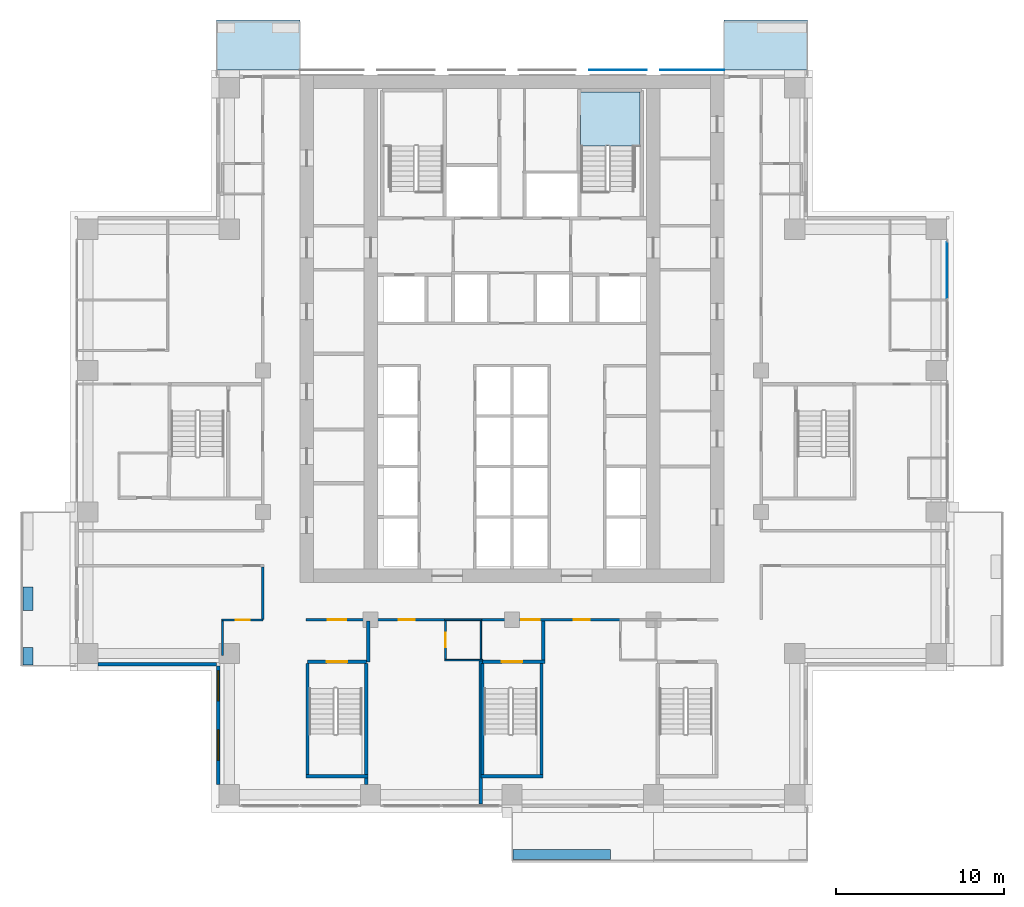
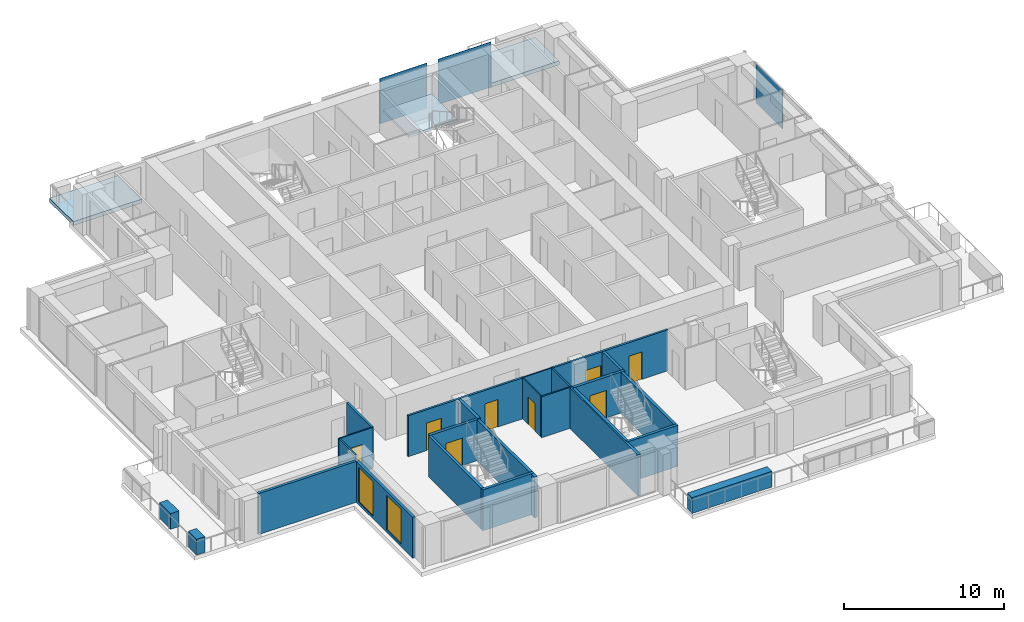
# One storey, part 8 of 18: 25 walls, 8 doors, 3 plates, 3 slabs, 2 windows, 10 openings, 2 elements without a shape of their own.
"""IFC4 building model written with IfcOpenShell, lengths in metres."""

from ifc_helpers import new_model, si_unit, direction, frame, frame_2d, origin, origin_2d, place, context, subcontext, project, spatial, polyline, rectangle, outline, extrude, material, layer, layer_set, type_object, element, fill, aggregate, save


model = new_model("IFC4")

# Units and contexts
model_context = context("Model", 3, precision=1e-05, world=origin(), true_north=direction((0.0, 1.0)))
body_context = subcontext(model_context, "Body", "Model", "MODEL_VIEW")
ifc_project = project(units=[si_unit("LENGTHUNIT", "METRE"), si_unit("AREAUNIT", "SQUARE_METRE"), si_unit("VOLUMEUNIT", "CUBIC_METRE"), si_unit("PLANEANGLEUNIT", "RADIAN"), si_unit("MASSUNIT", "GRAM", prefix="KILO")], contexts=[model_context])

# Site, building, storey
site_placement = place(None, origin())
site = spatial("IfcSite", under=ifc_project, at=site_placement, CompositionType="ELEMENT")
building_placement = place(site_placement, origin())
building = spatial("IfcBuilding", under=site, at=building_placement, Name="Vermilion Ogive Tower", CompositionType="ELEMENT")
storey_placement = place(building_placement, frame((0.0, 0.0, 94.199951171875)))
storey = spatial("IfcBuildingStorey", under=building, at=storey_placement, Name="L23", CompositionType="ELEMENT", Elevation=94.199951171875)

# Slabs
ifc_material_1 = material(Name="Concrete B40", Category="concrete")
ifc_layer_1 = layer(ifc_material_1, 0.300048828125)
ifc_layer_set_1 = layer_set([ifc_layer_1], Name="Balcony slab")
slab_type_1 = type_object("IfcSlabType", Name="Balcony slab", PredefinedType="FLOOR", material=ifc_layer_set_1)
slab_1_placement = place(storey_placement, frame((0.0, 0.0, -0.33984375)))
element("IfcSlab", 1, at=slab_1_placement, inside=storey, type_object=slab_type_1, Name="Balcony slab N101", PredefinedType="FLOOR", context=body_context, shape_type="SweptSolid", body=[
    extrude(outline(polyline([(17.550048828125, 25.030029296875), (12.60009765625, 25.030029296875), (12.60009765625, 22.050048828125), (17.550048828125, 22.050048828125), (17.550048828125, 25.030029296875)])), origin(), (0.0, 0.0, 1.0), 0.2998046875),
])
slab_2_placement = place(storey_placement, frame((0.0, 0.0, -0.33984375)))
element("IfcSlab", 2, at=slab_2_placement, inside=storey, type_object=slab_type_1, Name="Balcony slab N201", PredefinedType="FLOOR", context=body_context, shape_type="SweptSolid", body=[
    extrude(outline(polyline([(-12.60009765625, 25.030029296875), (-17.550048828125, 25.030029296875), (-17.550048828125, 22.050048828125), (-12.60009765625, 22.050048828125), (-12.60009765625, 25.030029296875)])), origin(), (0.0, 0.0, 1.0), 0.2998046875),
])

# Curtain wall, plate
ifc_material_2 = material(Name="Low-iron laminated glazing in aluminium frame", Category="aluminium")
curtain_wall_type = type_object("IfcCurtainWallType", Name="Curtain wall CW7", PredefinedType="NOTDEFINED", material=ifc_material_2)
curtain_wall_placement = place(storey_placement, origin())
curtain_wall = element("IfcCurtainWall", 3, at=curtain_wall_placement, inside=storey, type_object=curtain_wall_type, Name="Glazed skin E3", PredefinedType="NOTDEFINED")
ifc_material_3 = material(Name="Low-iron laminated glazing in aluminium frame", Category="aluminium")
ifc_layer_2 = layer(ifc_material_3, 0.031982421875)
ifc_layer_set_2 = layer_set([ifc_layer_2], Name="CW7 glazing panel 32")
plate_type_1 = type_object("IfcPlateType", Name="CW7 glazing panel 32", PredefinedType="CURTAIN_PANEL", material=ifc_layer_set_2)
plate_1_placement = place(storey_placement, frame((25.85009765625, 10.155029296875, 0.06005859375), z_axis=(0.0, 0.0, 1.0), x_axis=(0.0, 1.0, 0.0)))
plate_1 = element("IfcPlate", 4, at=plate_1_placement, type_object=plate_type_1, Name="CW7-E3 panel 2.1", PredefinedType="CURTAIN_PANEL", context=body_context, shape_type="SweptSolid", body=[
    extrude(rectangle(XDim=3.330078125, YDim=0.031982421875, at=origin_2d()), origin(), (0.0, 0.0, 1.0), 3.010009765625),
])
aggregate(curtain_wall, [plate_1])

# Plates
ifc_material_4 = material(Name="Low-iron laminated glazing in aluminium frame", Category="aluminium")
ifc_layer_3 = layer(ifc_material_4, 0.031982421875)
ifc_layer_set_3 = layer_set([ifc_layer_3], Name="Glazed rainscreen sheet 32")
plate_type_2 = type_object("IfcPlateType", Name="Glazed rainscreen sheet 32", PredefinedType="SHEET", material=ifc_layer_set_3)
plate_2_placement = place(storey_placement, frame((6.300048828125, 22.06591796875, -0.31982421875), z_axis=(0.0, 0.0, 1.0), x_axis=(1.0, 0.0, 0.0)))
element("IfcPlate", 5, at=plate_2_placement, inside=storey, type_object=plate_type_2, Name="Glazed rainscreen sheet N5", PredefinedType="SHEET", context=body_context, shape_type="SweptSolid", body=[
    extrude(rectangle(XDim=3.39990234375, YDim=0.031982421875, at=origin_2d()), origin(), (0.0, 0.0, 1.0), 3.449951171875),
])
plate_3_placement = place(storey_placement, frame((10.7099609375, 22.06591796875, -0.31982421875), z_axis=(0.0, 0.0, 1.0), x_axis=(1.0, 0.0, 0.0)))
element("IfcPlate", 6, at=plate_3_placement, inside=storey, type_object=plate_type_2, Name="Glazed rainscreen sheet N6", PredefinedType="SHEET", context=body_context, shape_type="SweptSolid", body=[
    extrude(rectangle(XDim=3.820068359375, YDim=0.031982421875, at=origin_2d()), origin(), (0.0, 0.0, 1.0), 3.449951171875),
])

# Stair, slab
ifc_material_5 = material(Name="Concrete B40", Category="concrete")
stair_type = type_object("IfcStairType", Name="Exit stair 1500", PredefinedType="HALF_TURN_STAIR", material=ifc_material_5)
stair_placement = place(storey_placement, origin())
stair = element("IfcStair", 7, at=stair_placement, inside=storey, type_object=stair_type, Name="L23 Exit Stair ST2", PredefinedType="HALF_TURN_STAIR")
ifc_material_6 = material(Name="Concrete B40", Category="concrete")
ifc_layer_4 = layer(ifc_material_6, 0.199951171875)
ifc_layer_set_4 = layer_set([ifc_layer_4], Name="Stair landing 200")
slab_type_2 = type_object("IfcSlabType", Name="Stair landing 200", PredefinedType="LANDING", material=ifc_layer_set_4)
slab_3_placement = place(storey_placement, frame((0.0, 0.0, 1.525146484375)))
slab_3 = element("IfcSlab", 8, at=slab_3_placement, type_object=slab_type_2, Name="ST2 landing 1", PredefinedType="LANDING", context=body_context, shape_type="SweptSolid", body=[
    extrude(outline(polyline([(5.60009765625, 17.550048828125), (5.75, 17.550048828125), (5.75, 17.548095703125), (7.25, 17.548095703125), (7.25, 17.550048828125), (7.60009765625, 17.550048828125), (7.60009765625, 20.75), (4.074951171875, 20.75), (4.074951171875, 17.550048828125), (4.10009765625, 17.550048828125), (4.10009765625, 17.548095703125), (5.60009765625, 17.548095703125), (5.60009765625, 17.550048828125)])), origin(), (0.0, 0.0, 1.0), 0.199951171875),
])
aggregate(stair, [slab_3])

# Wall
ifc_material_7 = material(Name="Gypsum board partition on steel studs", Category="steel")
ifc_layer_5 = layer(ifc_material_7, 0.10009765625)
ifc_layer_set_5 = layer_set([ifc_layer_5], Name="Partition 100 bath")
wall_type_1 = type_object("IfcWallType", Name="Partition 100 bath", PredefinedType="PARTITIONING", material=ifc_layer_set_5)
wall_1_placement = place(storey_placement, frame((-4.0, -13.0, 0.0), z_axis=(0.0, 0.0, 1.0), x_axis=(1.0, 0.0, 0.0)))
element("IfcWall", 9, at=wall_1_placement, inside=storey, type_object=wall_type_1, Name="L23-W-W005", PredefinedType="PARTITIONING", context=body_context, shape_type="SweptSolid", body=[
    extrude(rectangle(XDim=2.25, YDim=0.10009765625, at=frame_2d((1.125, 0.0))), origin(), (0.0, 0.0, 1.0), 3.130126953125),
])

# Wall, opening, door
wall_2_placement = place(storey_placement, frame((-17.25, -10.6201171875, 0.0), z_axis=(0.0, 0.0, 1.0), x_axis=(1.0, 0.0, 0.0)))
wall_2 = element("IfcWall", 10, at=wall_2_placement, inside=storey, type_object=wall_type_1, Name="L23-W-W007", PredefinedType="PARTITIONING", context=body_context, shape_type="SweptSolid", body=[
    extrude(rectangle(XDim=2.449951171875, YDim=0.10009765625, at=frame_2d((1.22509765625, 0.0))), origin(), (0.0, 0.0, 1.0), 3.130126953125),
])
opening_1_placement = place(wall_2_placement, frame((0.824951171875, 0.0, 0.0)))
opening_1 = element("IfcOpeningElement", 11, at=opening_1_placement, cuts=wall_2, Name="Opening D2G2002", PredefinedType="OPENING", context=body_context, shape_type="SweptSolid", body=[
    extrude(rectangle(XDim=0.85009765625, YDim=2.10009765625, at=frame_2d((0.425048828125, 1.050048828125))), frame((0.0, 0.06005859375, 0.0), z_axis=(0.0, -1.0, 0.0), x_axis=(1.0, 0.0, 0.0)), (0.0, 0.0, 1.0), 0.1201171875),
])
ifc_material_8 = material(Name="Timber door leaf", Category="wood")
door_type_1 = type_object("IfcDoorType", Name="Bath door 850 x 2100 FD30", OperationType="SINGLE_SWING_LEFT", PredefinedType="DOOR", material=ifc_material_8)
door_1_placement = place(opening_1_placement, origin())
door_1 = element("IfcDoor", 12, at=door_1_placement, inside=storey, type_object=door_type_1, Name="L23-D-D002", OperationType="SINGLE_SWING_RIGHT", OverallHeight=2.10009765625, OverallWidth=0.85009765625, PredefinedType="DOOR", context=body_context, shape_type="SweptSolid", body=[
    extrude(rectangle(XDim=0.85009765625, YDim=2.10009765625, at=frame_2d((0.425048828125, 1.050048828125))), frame((0.0, 0.02490234375, 0.0), z_axis=(0.0, -1.0, 0.0), x_axis=(1.0, 0.0, 0.0)), (0.0, 0.0, 1.0), 0.050048828125),
])
fill(opening_1, door_1)

# Walls
wall_3_placement = place(storey_placement, frame((-4.0, -10.60009765625, 0.0), z_axis=(0.0, 0.0, 1.0), x_axis=(1.0, 0.0, 0.0)))
element("IfcWall", 13, at=wall_3_placement, inside=storey, type_object=wall_type_1, Name="L23-W-W009", PredefinedType="PARTITIONING", context=body_context, shape_type="SweptSolid", body=[
    extrude(rectangle(XDim=2.199951171875, YDim=0.10009765625, at=frame_2d((1.10009765625, 0.0))), origin(), (0.0, 0.0, 1.0), 3.130126953125),
])
wall_4_placement = place(storey_placement, frame((-17.199951171875, -12.719970703125, 0.0), z_axis=(0.0, 0.0, 1.0), x_axis=(0.0, 1.0, 0.0)))
element("IfcWall", 14, at=wall_4_placement, inside=storey, type_object=wall_type_1, Name="L23-W-W041", PredefinedType="PARTITIONING", context=body_context, shape_type="SweptSolid", body=[
    extrude(rectangle(XDim=2.050048828125, YDim=0.10009765625, at=frame_2d((1.02490234375, 0.0))), origin(), (0.0, 0.0, 1.0), 3.130126953125),
])

# Wall, opening, door
wall_5_placement = place(storey_placement, frame((-3.949951171875, -12.949951171875, 0.0), z_axis=(0.0, 0.0, 1.0), x_axis=(0.0, 1.0, 0.0)))
wall_5 = element("IfcWall", 15, at=wall_5_placement, inside=storey, type_object=wall_type_1, Name="L23-W-W049", PredefinedType="PARTITIONING", context=body_context, shape_type="SweptSolid", body=[
    extrude(rectangle(XDim=2.27490234375, YDim=0.10009765625, at=frame_2d((1.137451171875, 0.0))), origin(), (0.0, 0.0, 1.0), 3.130126953125),
])
opening_2_placement = place(wall_5_placement, frame((0.724853515625, 0.0, 0.0)))
opening_2 = element("IfcOpeningElement", 16, at=opening_2_placement, cuts=wall_5, Name="Opening D2G2011", PredefinedType="OPENING", context=body_context, shape_type="SweptSolid", body=[
    extrude(rectangle(XDim=0.85009765625, YDim=2.10009765625, at=frame_2d((0.425048828125, 1.050048828125))), frame((0.0, 0.06005859375, 0.0), z_axis=(0.0, -1.0, 0.0), x_axis=(1.0, 0.0, 0.0)), (0.0, 0.0, 1.0), 0.1201171875),
])
door_2_placement = place(opening_2_placement, origin())
door_2 = element("IfcDoor", 17, at=door_2_placement, inside=storey, type_object=door_type_1, Name="L23-D-D011", OperationType="SINGLE_SWING_RIGHT", OverallHeight=2.10009765625, OverallWidth=0.85009765625, PredefinedType="DOOR", context=body_context, shape_type="SweptSolid", body=[
    extrude(rectangle(XDim=0.85009765625, YDim=2.10009765625, at=frame_2d((0.425048828125, 1.050048828125))), frame((0.0, 0.02490234375, 0.0), z_axis=(0.0, -1.0, 0.0), x_axis=(1.0, 0.0, 0.0)), (0.0, 0.0, 1.0), 0.050048828125),
])
fill(opening_2, door_2)

# Wall
wall_6_placement = place(storey_placement, frame((-1.85009765625, -12.949951171875, 0.0), z_axis=(0.0, 0.0, 1.0), x_axis=(0.0, 1.0, 0.0)))
element("IfcWall", 18, at=wall_6_placement, inside=storey, type_object=wall_type_1, Name="L23-W-W051", PredefinedType="PARTITIONING", context=body_context, shape_type="SweptSolid", body=[
    extrude(rectangle(XDim=2.27490234375, YDim=0.10009765625, at=frame_2d((1.137451171875, 0.0))), origin(), (0.0, 0.0, 1.0), 3.130126953125),
])

# Wall, openings, doors
ifc_material_9 = material(Name="Gypsum board partition on steel studs", Category="steel")
ifc_layer_6 = layer(ifc_material_9, 0.14990234375)
ifc_layer_set_6 = layer_set([ifc_layer_6], Name="Partition 150 corridor")
wall_type_2 = type_object("IfcWallType", Name="Partition 150 corridor", PredefinedType="PARTITIONING", material=ifc_layer_set_6)
wall_7_placement = place(storey_placement, frame((-12.25, -10.60009765625, 0.0), z_axis=(0.0, 0.0, 1.0), x_axis=(1.0, 0.0, 0.0)))
wall_7 = element("IfcWall", 19, at=wall_7_placement, inside=storey, type_object=wall_type_2, Name="L23-W-W008", PredefinedType="PARTITIONING", context=body_context, shape_type="SweptSolid", body=[
    extrude(rectangle(XDim=8.35009765625, YDim=0.14990234375, at=frame_2d((4.175048828125, 0.0))), origin(), (0.0, 0.0, 1.0), 3.130126953125),
])
opening_3_placement = place(wall_7_placement, frame((5.52490234375, 0.0, 0.0)))
opening_3 = element("IfcOpeningElement", 20, at=opening_3_placement, cuts=wall_7, Name="Opening D2G2010", PredefinedType="OPENING", context=body_context, shape_type="SweptSolid", body=[
    extrude(rectangle(XDim=0.949951171875, YDim=2.10009765625, at=frame_2d((0.47509765625, 1.050048828125))), frame((0.0, 0.0849609375, 0.0), z_axis=(0.0, -1.0, 0.0), x_axis=(1.0, 0.0, 0.0)), (0.0, 0.0, 1.0), 0.169921875),
])
opening_4_placement = place(wall_7_placement, frame((1.300048828125, 0.0, 0.0)))
opening_4 = element("IfcOpeningElement", 21, at=opening_4_placement, cuts=wall_7, Name="Opening D2G2022", PredefinedType="OPENING", context=body_context, shape_type="SweptSolid", body=[
    extrude(rectangle(XDim=1.10009765625, YDim=2.10009765625, at=frame_2d((0.550048828125, 1.050048828125))), frame((0.0, 0.0849609375, 0.0), z_axis=(0.0, -1.0, 0.0), x_axis=(1.0, 0.0, 0.0)), (0.0, 0.0, 1.0), 0.169921875),
])
ifc_material_10 = material(Name="Timber door leaf", Category="wood")
door_type_2 = type_object("IfcDoorType", Name="Stair door 1100 x 2100 FD60S", OperationType="SINGLE_SWING_LEFT", PredefinedType="DOOR", material=ifc_material_10)
door_3_placement = place(opening_4_placement, origin())
door_3 = element("IfcDoor", 22, at=door_3_placement, inside=storey, type_object=door_type_2, Name="L23-D-D022", OperationType="SINGLE_SWING_RIGHT", OverallHeight=2.10009765625, OverallWidth=1.10009765625, PredefinedType="DOOR", context=body_context, shape_type="SweptSolid", body=[
    extrude(rectangle(XDim=1.10009765625, YDim=2.10009765625, at=frame_2d((0.550048828125, 1.050048828125))), frame((0.0, 0.02490234375, 0.0), z_axis=(0.0, -1.0, 0.0), x_axis=(1.0, 0.0, 0.0)), (0.0, 0.0, 1.0), 0.050048828125),
])
fill(opening_4, door_3)
ifc_material_11 = material(Name="Timber door leaf", Category="wood")
door_type_3 = type_object("IfcDoorType", Name="Unit door 950 x 2100 FD30S", OperationType="SINGLE_SWING_LEFT", PredefinedType="DOOR", material=ifc_material_11)
door_4_placement = place(opening_3_placement, origin())
door_4 = element("IfcDoor", 23, at=door_4_placement, inside=storey, type_object=door_type_3, Name="L23-D-D010", OperationType="SINGLE_SWING_LEFT", OverallHeight=2.10009765625, OverallWidth=0.949951171875, PredefinedType="DOOR", context=body_context, shape_type="SweptSolid", body=[
    extrude(rectangle(XDim=0.949951171875, YDim=2.10009765625, at=frame_2d((0.47509765625, 1.050048828125))), frame((0.0, 0.02490234375, 0.0), z_axis=(0.0, -1.0, 0.0), x_axis=(1.0, 0.0, 0.0)), (0.0, 0.0, 1.0), 0.050048828125),
])
fill(opening_3, door_4)

wall_8_placement = place(storey_placement, frame((-1.89990234375, -10.60009765625, 0.0), z_axis=(0.0, 0.0, 1.0), x_axis=(1.0, 0.0, 0.0)))
wall_8 = element("IfcWall", 24, at=wall_8_placement, inside=storey, type_object=wall_type_2, Name="L23-W-W010", PredefinedType="PARTITIONING", context=body_context, shape_type="SweptSolid", body=[
    extrude(rectangle(XDim=8.39990234375, YDim=0.14990234375, at=frame_2d((4.199951171875, 0.0))), origin(), (0.0, 0.0, 1.0), 3.130126953125),
])
opening_5_placement = place(wall_8_placement, frame((5.574951171875, 0.0, 0.0)))
opening_5 = element("IfcOpeningElement", 25, at=opening_5_placement, cuts=wall_8, Name="Opening D2G2012", PredefinedType="OPENING", context=body_context, shape_type="SweptSolid", body=[
    extrude(rectangle(XDim=0.949951171875, YDim=2.10009765625, at=frame_2d((0.47509765625, 1.050048828125))), frame((0.0, 0.0849609375, 0.0), z_axis=(0.0, -1.0, 0.0), x_axis=(1.0, 0.0, 0.0)), (0.0, 0.0, 1.0), 0.169921875),
])
opening_6_placement = place(wall_8_placement, frame((2.449951171875, 0.0, 0.0)))
opening_6 = element("IfcOpeningElement", 26, at=opening_6_placement, cuts=wall_8, Name="Opening D2G2024", PredefinedType="OPENING", context=body_context, shape_type="SweptSolid", body=[
    extrude(rectangle(XDim=1.10009765625, YDim=2.10009765625, at=frame_2d((0.550048828125, 1.050048828125))), frame((0.0, 0.0849609375, 0.0), z_axis=(0.0, -1.0, 0.0), x_axis=(1.0, 0.0, 0.0)), (0.0, 0.0, 1.0), 0.169921875),
])
door_5_placement = place(opening_6_placement, origin())
door_5 = element("IfcDoor", 27, at=door_5_placement, inside=storey, type_object=door_type_2, Name="L23-D-D024", OperationType="SINGLE_SWING_LEFT", OverallHeight=2.10009765625, OverallWidth=1.10009765625, PredefinedType="DOOR", context=body_context, shape_type="SweptSolid", body=[
    extrude(rectangle(XDim=1.10009765625, YDim=2.10009765625, at=frame_2d((0.550048828125, 1.050048828125))), frame((0.0, 0.02490234375, 0.0), z_axis=(0.0, -1.0, 0.0), x_axis=(1.0, 0.0, 0.0)), (0.0, 0.0, 1.0), 0.050048828125),
])
fill(opening_6, door_5)
door_6_placement = place(opening_5_placement, origin())
door_6 = element("IfcDoor", 28, at=door_6_placement, inside=storey, type_object=door_type_3, Name="L23-D-D012", OperationType="SINGLE_SWING_LEFT", OverallHeight=2.10009765625, OverallWidth=0.949951171875, PredefinedType="DOOR", context=body_context, shape_type="SweptSolid", body=[
    extrude(rectangle(XDim=0.949951171875, YDim=2.10009765625, at=frame_2d((0.47509765625, 1.050048828125))), frame((0.0, 0.02490234375, 0.0), z_axis=(0.0, -1.0, 0.0), x_axis=(1.0, 0.0, 0.0)), (0.0, 0.0, 1.0), 0.050048828125),
])
fill(opening_5, door_6)

# Walls
wall_9_placement = place(storey_placement, frame((-14.800048828125, -10.60009765625, 0.0), z_axis=(0.0, 0.0, 1.0), x_axis=(0.0, 1.0, 0.0)))
element("IfcWall", 29, at=wall_9_placement, inside=storey, type_object=wall_type_2, Name="L23-W-W044", PredefinedType="PARTITIONING", context=body_context, shape_type="SweptSolid", body=[
    extrude(rectangle(XDim=3.125, YDim=0.14990234375, at=frame_2d((1.5625, 0.0))), origin(), (0.0, 0.0, 1.0), 3.130126953125),
])
ifc_material_12 = material(Name="Gypsum board partition on steel studs", Category="steel")
ifc_layer_7 = layer(ifc_material_12, 0.199951171875)
ifc_layer_set_7 = layer_set([ifc_layer_7], Name="Partition 200 party")
wall_type_3 = type_object("IfcWallType", Name="Partition 200 party", PredefinedType="PARTITIONING", material=ifc_layer_set_7)
wall_10_placement = place(storey_placement, frame((-8.550048828125, -13.10009765625, 0.0), z_axis=(0.0, 0.0, 1.0), x_axis=(0.0, 1.0, 0.0)))
element("IfcWall", 30, at=wall_10_placement, inside=storey, type_object=wall_type_3, Name="L23-W-W048", PredefinedType="PARTITIONING", context=body_context, shape_type="SweptSolid", body=[
    extrude(rectangle(XDim=2.425048828125, YDim=0.199951171875, at=frame_2d((1.21240234375, 0.0))), origin(), (0.0, 0.0, 1.0), 3.130126953125),
])
wall_11_placement = place(storey_placement, frame((1.85009765625, -12.998046875, 0.0), z_axis=(0.0, 0.0, 1.0), x_axis=(0.0, 1.0, 0.0)))
element("IfcWall", 31, at=wall_11_placement, inside=storey, type_object=wall_type_3, Name="L23-W-W054", PredefinedType="PARTITIONING", context=body_context, shape_type="SweptSolid", body=[
    extrude(rectangle(XDim=2.322998046875, YDim=0.199951171875, at=frame_2d((1.16162109375, 0.0))), origin(), (0.0, 0.0, 1.0), 3.130126953125),
])
ifc_material_13 = material(Name="Concrete B60", Category="concrete")
ifc_layer_8 = layer(ifc_material_13, 0.199951171875)
ifc_layer_set_8 = layer_set([ifc_layer_8], Name="Stair shaft wall 200 Concrete B60")
wall_type_4 = type_object("IfcWallType", Name="Stair shaft wall 200 Concrete B60", PredefinedType="SOLIDWALL", material=ifc_layer_set_8)
wall_12_placement = place(storey_placement, frame((-1.847900390625, -19.89990234375, 0.0), z_axis=(0.0, 0.0, 1.0), x_axis=(1.0, 0.0, 0.0)))
element("IfcWall", 32, at=wall_12_placement, inside=storey, type_object=wall_type_4, Name="L23-W-W001", PredefinedType="SOLIDWALL", context=body_context, shape_type="SweptSolid", body=[
    extrude(rectangle(XDim=3.69580078125, YDim=0.199951171875, at=frame_2d((1.847900390625, 0.0))), origin(), (0.0, 0.0, 1.0), 3.130126953125),
])

# Wall, opening, door
wall_13_placement = place(storey_placement, frame((-12.14990234375, -13.10009765625, 0.0), z_axis=(0.0, 0.0, 1.0), x_axis=(1.0, 0.0, 0.0)))
wall_13 = element("IfcWall", 33, at=wall_13_placement, inside=storey, type_object=wall_type_4, Name="L23-W-W002", PredefinedType="SOLIDWALL", context=body_context, shape_type="SweptSolid", body=[
    extrude(rectangle(XDim=3.5, YDim=0.199951171875, at=frame_2d((1.75, 0.0))), origin(), (0.0, 0.0, 1.0), 3.130126953125),
])
opening_7_placement = place(wall_13_placement, frame((1.14990234375, 0.0, 0.0)))
opening_7 = element("IfcOpeningElement", 34, at=opening_7_placement, cuts=wall_13, Name="Opening D2G2023", PredefinedType="OPENING", context=body_context, shape_type="SweptSolid", body=[
    extrude(rectangle(XDim=1.199951171875, YDim=2.10009765625, at=frame_2d((0.60009765625, 1.050048828125))), frame((0.0, 0.10986328125, 0.0), z_axis=(0.0, -1.0, 0.0), x_axis=(1.0, 0.0, 0.0)), (0.0, 0.0, 1.0), 0.219970703125),
])
ifc_material_14 = material(Name="Timber door leaf", Category="wood")
door_type_4 = type_object("IfcDoorType", Name="Stair door 1200 x 2100 FD60S", OperationType="SINGLE_SWING_LEFT", PredefinedType="DOOR", material=ifc_material_14)
door_7_placement = place(opening_7_placement, origin())
door_7 = element("IfcDoor", 35, at=door_7_placement, inside=storey, type_object=door_type_4, Name="L23-D-D023", OperationType="SINGLE_SWING_RIGHT", OverallHeight=2.10009765625, OverallWidth=1.199951171875, PredefinedType="DOOR", context=body_context, shape_type="SweptSolid", body=[
    extrude(rectangle(XDim=1.199951171875, YDim=2.10009765625, at=frame_2d((0.60009765625, 1.050048828125))), frame((0.0, 0.02490234375, 0.0), z_axis=(0.0, -1.0, 0.0), x_axis=(1.0, 0.0, 0.0)), (0.0, 0.0, 1.0), 0.050048828125),
])
fill(opening_7, door_7)

wall_14_placement = place(storey_placement, frame((-1.748046875, -13.10009765625, 0.0), z_axis=(0.0, 0.0, 1.0), x_axis=(1.0, 0.0, 0.0)))
wall_14 = element("IfcWall", 36, at=wall_14_placement, inside=storey, type_object=wall_type_4, Name="L23-W-W003", PredefinedType="SOLIDWALL", context=body_context, shape_type="SweptSolid", body=[
    extrude(rectangle(XDim=3.696044921875, YDim=0.199951171875, at=frame_2d((1.84814453125, 0.0))), origin(), (0.0, 0.0, 1.0), 3.130126953125),
])
opening_8_placement = place(wall_14_placement, frame((1.14794921875, 0.0, 0.0)))
opening_8 = element("IfcOpeningElement", 37, at=opening_8_placement, cuts=wall_14, Name="Opening D2G2025", PredefinedType="OPENING", context=body_context, shape_type="SweptSolid", body=[
    extrude(rectangle(XDim=1.199951171875, YDim=2.10009765625, at=frame_2d((0.60009765625, 1.050048828125))), frame((0.0, 0.10986328125, 0.0), z_axis=(0.0, -1.0, 0.0), x_axis=(1.0, 0.0, 0.0)), (0.0, 0.0, 1.0), 0.219970703125),
])
door_8_placement = place(opening_8_placement, origin())
door_8 = element("IfcDoor", 38, at=door_8_placement, inside=storey, type_object=door_type_4, Name="L23-D-D025", OperationType="SINGLE_SWING_RIGHT", OverallHeight=2.10009765625, OverallWidth=1.199951171875, PredefinedType="DOOR", context=body_context, shape_type="SweptSolid", body=[
    extrude(rectangle(XDim=1.199951171875, YDim=2.10009765625, at=frame_2d((0.60009765625, 1.050048828125))), frame((0.0, 0.02490234375, 0.0), z_axis=(0.0, -1.0, 0.0), x_axis=(1.0, 0.0, 0.0)), (0.0, 0.0, 1.0), 0.050048828125),
])
fill(opening_8, door_8)

# Walls
for number, where, z_axis, x_axis, name in (
    (39, (-1.75, -19.798095703125, 0.0), (0.0, 0.0, 1.0), (0.0, 1.0, 0.0), "L23-W-W052"),
    (40, (1.75, -19.798095703125, 0.0), (0.0, 0.0, 1.0), (0.0, 1.0, 0.0), "L23-W-W053"),
):
    element("IfcWall", number, at=place(storey_placement, frame(where, z_axis=z_axis, x_axis=x_axis)), inside=storey, type_object=wall_type_4, Name=name, PredefinedType="SOLIDWALL", context=body_context, shape_type="SweptSolid", body=[
        extrude(rectangle(XDim=6.59619140625, YDim=0.199951171875, at=frame_2d((3.298095703125, 0.0))), origin(), (0.0, 0.0, 1.0), 3.130126953125),
    ])
wall_15_placement = place(storey_placement, frame((-12.25, -19.89990234375, 0.0), z_axis=(0.0, 0.0, 1.0), x_axis=(1.0, 0.0, 0.0)))
element("IfcWall", 41, at=wall_15_placement, inside=storey, type_object=wall_type_4, Name="L23-SW-ST3-S1", PredefinedType="SOLIDWALL", context=body_context, shape_type="SweptSolid", body=[
    extrude(rectangle(XDim=3.699951171875, YDim=0.199951171875, at=frame_2d((1.85009765625, 0.0))), origin(), (0.0, 0.0, 1.0), 3.130126953125),
])
wall_16_placement = place(storey_placement, frame((-12.14990234375, -19.800048828125, 0.0), z_axis=(0.0, 0.0, 1.0), x_axis=(0.0, 1.0, 0.0)))
element("IfcWall", 42, at=wall_16_placement, inside=storey, type_object=wall_type_4, Name="L23-SW-ST3-W1", PredefinedType="SOLIDWALL", context=body_context, shape_type="SweptSolid", body=[
    extrude(rectangle(XDim=6.60009765625, YDim=0.199951171875, at=frame_2d((3.300048828125, 0.0))), origin(), (0.0, 0.0, 1.0), 3.130126953125),
])
wall_17_placement = place(storey_placement, frame((-8.64990234375, -20.39990234375, 0.0), z_axis=(0.0, 0.0, 1.0), x_axis=(0.0, 1.0, 0.0)))
element("IfcWall", 43, at=wall_17_placement, inside=storey, type_object=wall_type_4, Name="L23-SW-ST3-E1", PredefinedType="SOLIDWALL", context=body_context, shape_type="SweptSolid", body=[
    extrude(rectangle(XDim=7.199951171875, YDim=0.199951171875, at=frame_2d((3.60009765625, 0.0))), origin(), (0.0, 0.0, 1.0), 3.130126953125),
])
wall_18_placement = place(storey_placement, frame((-1.85009765625, -21.550048828125, 0.0), z_axis=(0.0, 0.0, 1.0), x_axis=(0.0, 1.0, 0.0)))
element("IfcWall", 44, at=wall_18_placement, inside=storey, type_object=wall_type_4, Name="L23-W-W050-A", PredefinedType="SOLIDWALL", context=body_context, shape_type="SweptSolid", body=[
    extrude(rectangle(XDim=8.5, YDim=0.199951171875, at=frame_2d((4.25, 0.0))), origin(), (0.0, 0.0, 1.0), 3.130126953125),
])
ifc_material_15 = material(Name="Concrete B40", Category="concrete")
ifc_layer_9 = layer(ifc_material_15, 0.60009765625)
ifc_layer_set_9 = layer_set([ifc_layer_9], Name="Structural planter")
wall_type_5 = type_object("IfcWallType", Name="Structural planter", PredefinedType="USERDEFINED", material=ifc_layer_set_9)
wall_19_placement = place(storey_placement, frame((0.06005859375, -24.550048828125, -0.0400390625), z_axis=(0.0, 0.0, 1.0), x_axis=(1.0, 0.0, 0.0)))
element("IfcWall", 45, at=wall_19_placement, inside=storey, type_object=wall_type_5, Name="Planter S03A1", ObjectType="PLANTER", PredefinedType="USERDEFINED", context=body_context, shape_type="SweptSolid", body=[
    extrude(rectangle(XDim=5.7900390625, YDim=0.60009765625, at=frame_2d((2.89501953125, 0.0))), origin(), (0.0, 0.0, 1.0), 1.2001953125),
])
wall_20_placement = place(storey_placement, frame((-28.75, -8.64990234375, -0.0400390625), z_axis=(0.0, 0.0, 1.0), x_axis=(0.0, -1.0, 0.0)))
element("IfcWall", 46, at=wall_20_placement, inside=storey, type_object=wall_type_5, Name="Planter W03A2", ObjectType="PLANTER", PredefinedType="USERDEFINED", context=body_context, shape_type="SweptSolid", body=[
    extrude(rectangle(XDim=1.400146484375, YDim=0.60009765625, at=frame_2d((0.7001953125, 0.0))), origin(), (0.0, 0.0, 1.0), 1.2001953125),
])
wall_21_placement = place(storey_placement, frame((-28.75, -12.25, -0.0400390625), z_axis=(0.0, 0.0, 1.0), x_axis=(0.0, -1.0, 0.0)))
element("IfcWall", 47, at=wall_21_placement, inside=storey, type_object=wall_type_5, Name="Planter W03A3", ObjectType="PLANTER", PredefinedType="USERDEFINED", context=body_context, shape_type="SweptSolid", body=[
    extrude(rectangle(XDim=1.0400390625, YDim=0.60009765625, at=frame_2d((0.52001953125, 0.0))), origin(), (0.0, 0.0, 1.0), 1.2001953125),
])
ifc_material_16 = material(Name="Aluminium window wall framing", Category="aluminium")
ifc_layer_10 = layer(ifc_material_16, 0.199951171875)
ifc_layer_set_10 = layer_set([ifc_layer_10], Name="Window wall")
wall_type_6 = type_object("IfcWallType", Name="Window wall", PredefinedType="STANDARD", material=ifc_layer_set_10)
wall_22_placement = place(storey_placement, frame((-24.60009765625, -13.25, 0.0), z_axis=(0.0, 0.0, 1.0), x_axis=(1.0, 0.0, 0.0)))
element("IfcWall", 48, at=wall_22_placement, inside=storey, type_object=wall_type_6, Name="Window wall X71", PredefinedType="STANDARD", context=body_context, shape_type="SweptSolid", body=[
    extrude(rectangle(XDim=7.050048828125, YDim=0.199951171875, at=frame_2d((3.52490234375, 0.0))), origin(), (0.0, 0.0, 1.0), 3.130126953125),
])

# Wall, openings, windows
wall_23_placement = place(storey_placement, frame((-17.449951171875, -13.35009765625, 0.0), z_axis=(0.0, 0.0, 1.0), x_axis=(0.0, -1.0, 0.0)))
wall_23 = element("IfcWall", 49, at=wall_23_placement, inside=storey, type_object=wall_type_6, Name="Window wall X81", PredefinedType="STANDARD", context=body_context, shape_type="SweptSolid", body=[
    extrude(rectangle(XDim=7.0498046875, YDim=0.199951171875, at=frame_2d((3.52490234375, 0.0))), origin(), (0.0, 0.0, 1.0), 3.130126953125),
])
opening_9_placement = place(wall_23_placement, frame((3.800048828125, 0.0, 0.199951171875)))
opening_9 = element("IfcOpeningElement", 50, at=opening_9_placement, cuts=wall_23, Name="Opening W1-X895", PredefinedType="OPENING", context=body_context, shape_type="SweptSolid", body=[
    extrude(rectangle(XDim=1.800048828125, YDim=2.64990234375, at=frame_2d((0.89990234375, 1.324951171875))), frame((0.0, 0.10986328125, 0.0), z_axis=(0.0, -1.0, 0.0), x_axis=(1.0, 0.0, 0.0)), (0.0, 0.0, 1.0), 0.219970703125),
])
opening_10_placement = place(wall_23_placement, frame((0.27490234375, 0.0, 0.199951171875)))
opening_10 = element("IfcOpeningElement", 51, at=opening_10_placement, cuts=wall_23, Name="Opening W1-X896", PredefinedType="OPENING", context=body_context, shape_type="SweptSolid", body=[
    extrude(rectangle(XDim=1.800048828125, YDim=2.64990234375, at=frame_2d((0.89990234375, 1.324951171875))), frame((0.0, 0.10986328125, 0.0), z_axis=(0.0, -1.0, 0.0), x_axis=(1.0, 0.0, 0.0)), (0.0, 0.0, 1.0), 0.219970703125),
])
ifc_material_17 = material(Name="Aluminium framed double glazing", Category="aluminium")
window_type = type_object("IfcWindowType", Name="Guest window W1", PartitioningType="SINGLE_PANEL", PredefinedType="WINDOW", material=ifc_material_17)
window_1_placement = place(opening_9_placement, origin())
window_1 = element("IfcWindow", 52, at=window_1_placement, inside=storey, type_object=window_type, Name="Window X895", OverallHeight=2.64990234375, OverallWidth=1.800048828125, PartitioningType="SINGLE_PANEL", PredefinedType="WINDOW", context=body_context, shape_type="SweptSolid", body=[
    extrude(rectangle(XDim=1.800048828125, YDim=2.64990234375, at=frame_2d((0.89990234375, 1.324951171875))), frame((0.0, 0.030029296875, 0.0), z_axis=(0.0, -1.0, 0.0), x_axis=(1.0, 0.0, 0.0)), (0.0, 0.0, 1.0), 0.06005859375),
])
fill(opening_9, window_1)
window_2_placement = place(opening_10_placement, origin())
window_2 = element("IfcWindow", 53, at=window_2_placement, inside=storey, type_object=window_type, Name="Window X896", OverallHeight=2.64990234375, OverallWidth=1.800048828125, PartitioningType="SINGLE_PANEL", PredefinedType="WINDOW", context=body_context, shape_type="SweptSolid", body=[
    extrude(rectangle(XDim=1.800048828125, YDim=2.64990234375, at=frame_2d((0.89990234375, 1.324951171875))), frame((0.0, 0.030029296875, 0.0), z_axis=(0.0, -1.0, 0.0), x_axis=(1.0, 0.0, 0.0)), (0.0, 0.0, 1.0), 0.06005859375),
])
fill(opening_10, window_2)

save(model, "model.ifc")
